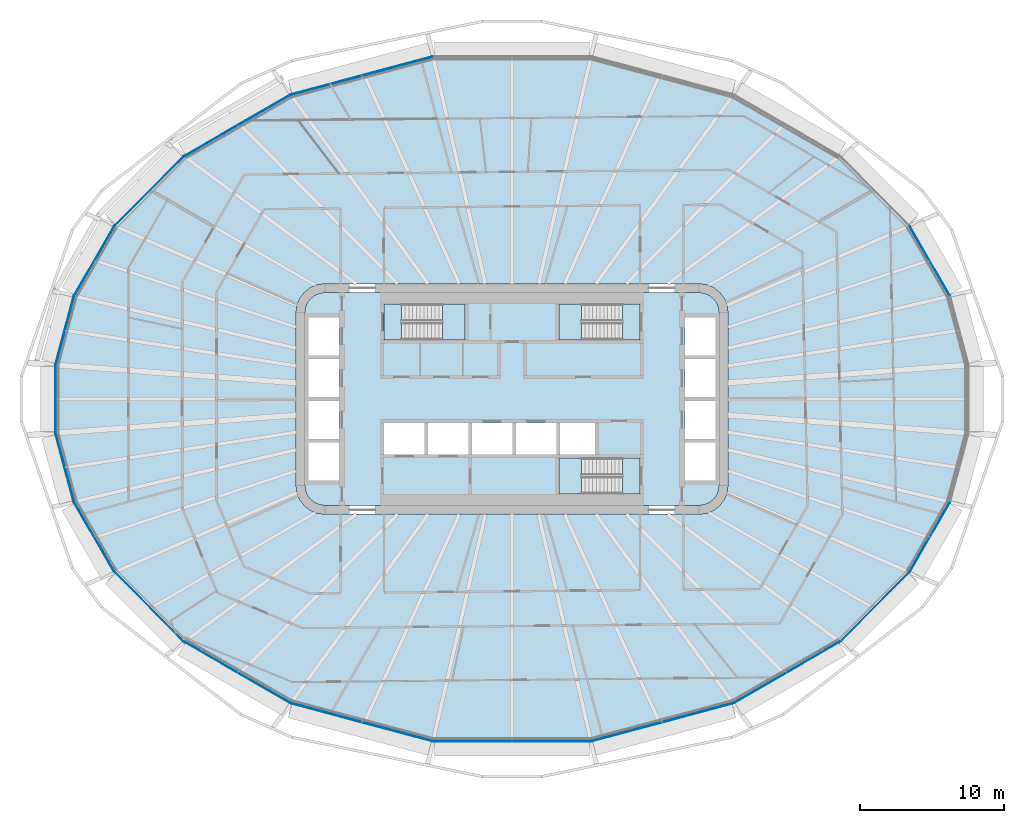
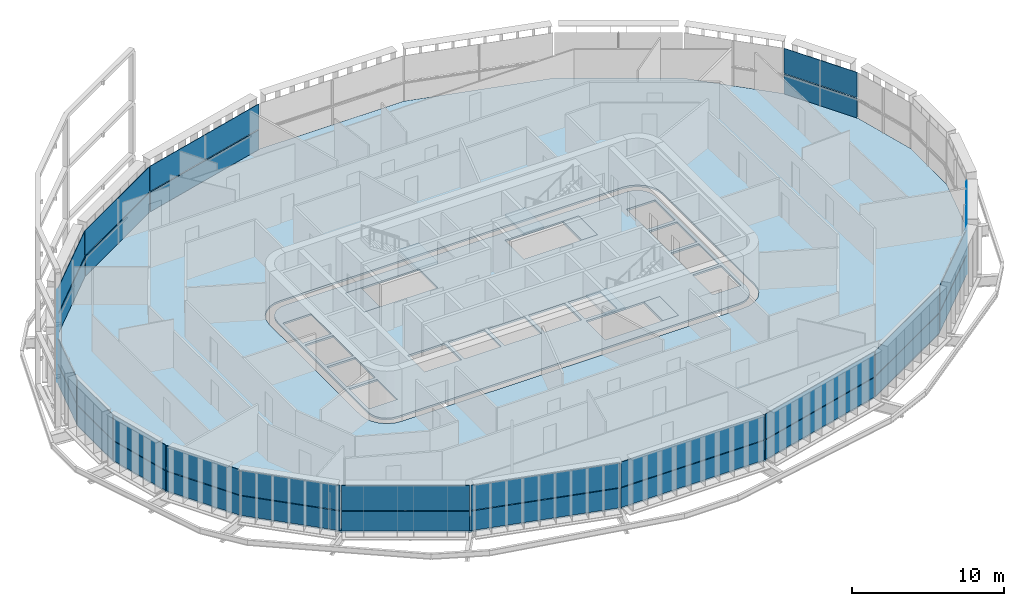
# One storey, part 13 of 26: 34 plates, 8 slabs, 20 elements without a shape of their own.
"""IFC4 building model written with IfcOpenShell, lengths in metres."""

import ifcopenshell
import ifcopenshell.guid

model = None  # the IFC model being written
_history = None  # IfcOwnerHistory: only IFC2X3 demands one
_inside = {}  # id of a spatial element -> (the spatial element, [elements in it])
_under = {}  # id of a project, library or spatial element -> (it, [spatial elements below it])
_declared = {}  # id of a project -> (the project, [libraries it declares])
_typed = {}  # id of a type object -> (the type object, [elements of that type])
_made_of = {}  # id of a material, layer set ... -> (it, [elements and type objects made of it])


def new_model(schema):
    """Start an empty IFC model of exactly this schema.

    Asked for "IFC4X3", IfcOpenShell would pick the latest addendum, in which some entities
    have other attributes; the version numbers below select the first issue.
    IFC2X3 requires an IfcOwnerHistory on every rooted entity: one is made here for all.
    """
    global model, _history
    if schema == "IFC4X3":
        model = ifcopenshell.file(schema_version=(4, 3, 0, 0))
    else:
        model = ifcopenshell.file(schema=schema)
    _inside.clear()
    _under.clear()
    _declared.clear()
    _typed.clear()
    _made_of.clear()
    _history = None
    if model.schema == "IFC2X3":
        org = make("IfcOrganization", Name="unknown")
        user = make(
            "IfcPersonAndOrganization",
            ThePerson=make("IfcPerson", FamilyName="unknown"),
            TheOrganization=org,
        )
        app = make(
            "IfcApplication",
            ApplicationDeveloper=org,
            Version="unknown",
            ApplicationFullName="unknown",
            ApplicationIdentifier="unknown",
        )
        _history = make(
            "IfcOwnerHistory",
            OwningUser=user,
            OwningApplication=app,
            ChangeAction="ADDED",
            CreationDate=0,
        )
    return model


def make(cls, **values):
    """One entity of the class cls with the attributes given. An attribute that is None is left unset."""
    return model.create_entity(
        cls, **{name: value for name, value in values.items() if value is not None}
    )


def rooted(cls, **values):
    """An entity with a GlobalId (a new one), such as an element, a storey or a relation."""
    return make(cls, GlobalId=ifcopenshell.guid.new(), OwnerHistory=_history, **values)


def si_unit(unit_type, name, prefix=None):
    """IfcSIUnit, for example si_unit("LENGTHUNIT", "METRE", prefix="MILLI")."""
    return make("IfcSIUnit", UnitType=unit_type, Prefix=prefix, Name=name)


def assignment(units):
    """IfcUnitAssignment: the units of a project."""
    return None if units is None else make("IfcUnitAssignment", Units=units)


def point(xyz):
    """IfcCartesianPoint."""
    return None if xyz is None else make("IfcCartesianPoint", Coordinates=xyz)


def direction(xyz):
    """IfcDirection."""
    return None if xyz is None else make("IfcDirection", DirectionRatios=xyz)


def frame(location, z_axis=None, x_axis=None):
    """IfcAxis2Placement3D, a coordinate frame: its origin and axes. An axis left out is left unset."""
    return make(
        "IfcAxis2Placement3D",
        Location=point(location),
        Axis=direction(z_axis),
        RefDirection=direction(x_axis),
    )


def origin():
    """The frame at (0, 0, 0) with its axes left unset."""
    return frame((0.0, 0.0, 0.0))


def place(relative_to, where):
    """IfcLocalPlacement: puts the frame where relative to a parent placement (None: the world)."""
    return make(
        "IfcLocalPlacement", PlacementRelTo=relative_to, RelativePlacement=where
    )


def context(
    kind, dimensions, precision=None, world=None, true_north=None, identifier=None
):
    """IfcGeometricRepresentationContext, for example the 3D "Model" context."""
    return make(
        "IfcGeometricRepresentationContext",
        ContextIdentifier=identifier,
        ContextType=kind,
        CoordinateSpaceDimension=dimensions,
        Precision=precision,
        WorldCoordinateSystem=world,
        TrueNorth=true_north,
    )


def subcontext(parent, identifier, kind, view, scale=None):
    """IfcGeometricRepresentationSubContext, for example "Body" below "Model"."""
    return make(
        "IfcGeometricRepresentationSubContext",
        ContextIdentifier=identifier,
        ContextType=kind,
        ParentContext=parent,
        TargetScale=scale,
        TargetView=view,
    )


def project(units=None, contexts=None):
    """IfcProject with its units and contexts."""
    return rooted(
        "IfcProject",
        Name="project",
        RepresentationContexts=contexts,
        UnitsInContext=assignment(units),
    )


def spatial(cls, under=None, at=None, **own):
    """A site, building, storey or space (cls), placed at a placement, below another one or the project."""
    s = rooted(cls, ObjectPlacement=at, **own)
    if under is not None:
        _under.setdefault(under.id(), (under, []))[1].append(s)
    return s


def polyline(points):
    """IfcPolyline through the points."""
    return make("IfcPolyline", Points=[point(p) for p in points])


def outline(outer, holes=None, kind="AREA"):
    """IfcArbitraryClosedProfileDef: a profile drawn as a closed curve; with holes, ...WithVoids."""
    if holes is None:
        return make("IfcArbitraryClosedProfileDef", ProfileType=kind, OuterCurve=outer)
    return make(
        "IfcArbitraryProfileDefWithVoids",
        ProfileType=kind,
        OuterCurve=outer,
        InnerCurves=holes,
    )


def extrude(swept, where, along, depth):
    """IfcExtrudedAreaSolid: the profile swept, set in the frame where, extruded along a direction by depth."""
    return make(
        "IfcExtrudedAreaSolid",
        SweptArea=swept,
        Position=where,
        ExtrudedDirection=direction(along),
        Depth=depth,
    )


def shape(context_of_items, identifier, shape_type, items):
    """IfcShapeRepresentation: the items that make up one representation, for example the "Body"."""
    return make(
        "IfcShapeRepresentation",
        ContextOfItems=context_of_items,
        RepresentationIdentifier=identifier,
        RepresentationType=shape_type,
        Items=items,
    )


def material(Name=None, Category=None):
    """IfcMaterial."""
    return make("IfcMaterial", Name=Name, Category=Category)


def layer(
    of_material, thickness, ventilated=None, Name=None, Category=None, Priority=None
):
    """IfcMaterialLayer: one layer of a wall or slab, of a material (None: an air gap)."""
    return make(
        "IfcMaterialLayer",
        Material=of_material,
        LayerThickness=thickness,
        IsVentilated=ventilated,
        Name=Name,
        Category=Category,
        Priority=Priority,
    )


def layer_set(layers, Name=None):
    """IfcMaterialLayerSet."""
    return make("IfcMaterialLayerSet", MaterialLayers=layers, LayerSetName=Name)


def made_of(thing, what):
    """Note that an element or type object is made of a material, layer set ...; save() writes the relation."""
    if what is not None:
        _made_of.setdefault(what.id(), (what, []))[1].append(thing)
    return thing


def type_object(cls, material=None, **own):
    """A type object (cls), such as IfcWallType, which elements share."""
    return made_of(rooted(cls, **own), material)


def element(
    cls,
    number,
    at=None,
    inside=None,
    cuts=None,
    type_object=None,
    material=None,
    context=None,
    identifier="Body",
    shape_type=None,
    held_by="IfcProductDefinitionShape",
    body=None,
    shapes=None,
    **own,
):
    """One element of the class cls, such as IfcWall. Its Tag is "e" and its number.

    at: its placement. inside: the storey or other place that contains it. cuts: it is an
    opening in that element (IfcRelVoidsElement). A single representation is given by context,
    identifier, shape_type and body (its items); several are given by shapes. held_by: the class
    of the entity that holds the representations. save() writes the other relations.
    """
    e = rooted(cls, Tag="e%d" % number, ObjectPlacement=at, **own)
    if body is not None:
        shapes = [shape(context, identifier, shape_type, body)]
    if shapes is not None:
        e.Representation = make(held_by, Representations=shapes)
    if inside is not None:
        _inside.setdefault(inside.id(), (inside, []))[1].append(e)
    if cuts is not None:
        rooted(
            "IfcRelVoidsElement", RelatingBuildingElement=cuts, RelatedOpeningElement=e
        )
    if type_object is not None:
        _typed.setdefault(type_object.id(), (type_object, []))[1].append(e)
    return made_of(e, material)


def aggregate(whole, parts):
    """IfcRelAggregates: a whole, such as a stair, and the parts it consists of."""
    return rooted("IfcRelAggregates", RelatingObject=whole, RelatedObjects=parts)


def save(model, path):
    """Write the relations noted so far, then the file.

    IfcRelAggregates (storeys below a building ...), IfcRelContainedInSpatialStructure (elements
    in a storey), IfcRelDefinesByType, IfcRelAssociatesMaterial and IfcRelDeclares: one each for
    every whole, place, type object, material and project.
    """
    for whole, parts in _under.values():
        aggregate(whole, parts)
    for where, things in _inside.values():
        rooted(
            "IfcRelContainedInSpatialStructure",
            RelatedElements=things,
            RelatingStructure=where,
        )
    for kind, things in _typed.values():
        rooted("IfcRelDefinesByType", RelatedObjects=things, RelatingType=kind)
    for what, things in _made_of.values():
        rooted("IfcRelAssociatesMaterial", RelatedObjects=things, RelatingMaterial=what)
    for by, libraries in _declared.values():
        rooted("IfcRelDeclares", RelatingContext=by, RelatedDefinitions=libraries)
    model.write(path)


model = new_model("IFC4")

# Units and contexts
model_context = context("Model", 3, precision=1e-05, world=origin(), true_north=direction((0.0, 1.0)))
body_context = subcontext(model_context, "Body", "Model", "MODEL_VIEW")
ifc_project = project(units=[si_unit("LENGTHUNIT", "METRE"), si_unit("AREAUNIT", "SQUARE_METRE"), si_unit("VOLUMEUNIT", "CUBIC_METRE"), si_unit("PLANEANGLEUNIT", "RADIAN"), si_unit("MASSUNIT", "GRAM", prefix="KILO")], contexts=[model_context])

# Site, building, storey
site_placement = place(None, origin())
site = spatial("IfcSite", under=ifc_project, at=site_placement, CompositionType="ELEMENT")
building_placement = place(site_placement, origin())
building = spatial("IfcBuilding", under=site, at=building_placement, Name="Sahrelin Media Tower", CompositionType="ELEMENT")
storey_placement = place(building_placement, frame((0.0, 0.0, 84.0)))
storey = spatial("IfcBuildingStorey", under=building, at=storey_placement, Name="L15", CompositionType="ELEMENT", Elevation=84.0)

# Slabs
ifc_material_1 = material(Name="Concrete C40/50", Category="concrete")
ifc_layer_1 = layer(ifc_material_1, 0.14990234375)
ifc_layer_set_1 = layer_set([ifc_layer_1], Name="Composite floor slab 150")
slab_type_1 = type_object("IfcSlabType", Name="Composite floor slab 150", PredefinedType="FLOOR", material=ifc_layer_set_1)
placement_1 = place(storey_placement, frame((0.0, 0.0, -0.14990234375)))
element("IfcSlab", 1, at=placement_1, inside=storey, type_object=slab_type_1, Name="Floor slab L15", PredefinedType="FLOOR", context=body_context, shape_type="SweptSolid", body=[
    extrude(outline(polyline([(31.69140625, -2.364013671875), (31.69140625, 2.364013671875), (30.411376953125, 7.140869140625), (27.596923828125, 12.015625), (22.759033203125, 16.853515625), (15.37060546875, 21.119140625), (5.491455078125, 23.766357421875), (-5.491455078125, 23.766357421875), (-15.37060546875, 21.119140625), (-22.759033203125, 16.853515625), (-27.596923828125, 12.015625), (-30.411376953125, 7.140869140625), (-31.69140625, 2.364013671875), (-31.69140625, -2.364013671875), (-30.411376953125, -7.140869140625), (-27.596923828125, -12.015625), (-22.759033203125, -16.853515625), (-15.37060546875, -21.119140625), (-5.491455078125, -23.766357421875), (5.491455078125, -23.766357421875), (15.37060546875, -21.119140625), (22.759033203125, -16.853515625), (27.596923828125, -12.015625), (30.411376953125, -7.140869140625), (31.69140625, -2.364013671875)]), holes=[polyline([(14.931884765625, 6.517578125), (15.0, 6.0), (15.0, -6.0), (14.931884765625, -6.517578125), (14.732177734375, -7.0), (14.414306640625, -7.414306640625), (14.0, -7.732177734375), (13.517578125, -7.931884765625), (13.0, -8.0), (-13.0, -8.0), (-13.517578125, -7.931884765625), (-14.0, -7.732177734375), (-14.414306640625, -7.414306640625), (-14.732177734375, -7.0), (-14.931884765625, -6.517578125), (-15.0, -6.0), (-15.0, 6.0), (-14.931884765625, 6.517578125), (-14.732177734375, 7.0), (-14.414306640625, 7.414306640625), (-14.0, 7.732177734375), (-13.517578125, 7.931884765625), (-13.0, 8.0), (13.0, 8.0), (13.517578125, 7.931884765625), (14.0, 7.732177734375), (14.414306640625, 7.414306640625), (14.732177734375, 7.0), (14.931884765625, 6.517578125)])]), origin(), (0.0, 0.0, 1.0), 0.14990234375),
])
ifc_layer_2 = layer(ifc_material_1, 0.14990234375)
ifc_layer_set_2 = layer_set([ifc_layer_2], Name="Core floor slab 150")
slab_type_2 = type_object("IfcSlabType", Name="Core floor slab 150", PredefinedType="FLOOR", material=ifc_layer_set_2)
element("IfcSlab", 2, at=placement_1, inside=storey, type_object=slab_type_2, Name="Core floor", PredefinedType="FLOOR", context=body_context, shape_type="SweptSolid", body=[
    extrude(outline(polyline([(-14.347412109375, 6.361083984375), (-14.39990234375, 5.960693359375), (-14.39990234375, -5.960693359375), (-14.347412109375, -6.361083984375), (-14.2080078125, -6.697509765625), (-13.986328125, -6.986328125), (-13.697509765625, -7.2080078125), (-13.361083984375, -7.347412109375), (-12.960693359375, -7.39990234375), (12.960693359375, -7.39990234375), (13.361083984375, -7.347412109375), (13.697509765625, -7.2080078125), (13.986328125, -6.986328125), (14.2080078125, -6.697509765625), (14.347412109375, -6.361083984375), (14.39990234375, -5.960693359375), (14.39990234375, 5.960693359375), (14.347412109375, 6.361083984375), (14.2080078125, 6.697509765625), (13.986328125, 6.986328125), (13.697509765625, 7.2080078125), (13.361083984375, 7.347412109375), (12.960693359375, 7.39990234375), (-12.960693359375, 7.39990234375), (-13.361083984375, 7.347412109375), (-13.697509765625, 7.2080078125), (-13.986328125, 6.986328125), (-14.2080078125, 6.697509765625), (-14.347412109375, 6.361083984375)]), holes=[polyline([(-12.0, 3.02490234375), (-12.0, 5.675048828125), (-14.14990234375, 5.675048828125), (-14.14990234375, 3.02490234375), (-12.0, 3.02490234375)]), polyline([(-14.14990234375, 0.125), (-12.0, 0.125), (-12.0, 2.77490234375), (-14.14990234375, 2.77490234375), (-14.14990234375, 0.125)]), polyline([(-14.14990234375, -0.125), (-14.14990234375, -2.77490234375), (-12.0, -2.77490234375), (-12.0, -0.125), (-14.14990234375, -0.125)]), polyline([(-12.0, -3.02490234375), (-14.14990234375, -3.02490234375), (-14.14990234375, -5.675048828125), (-12.0, -5.675048828125), (-12.0, -3.02490234375)]), polyline([(14.14990234375, 3.02490234375), (14.14990234375, 5.675048828125), (12.0, 5.675048828125), (12.0, 3.02490234375), (14.14990234375, 3.02490234375)]), polyline([(12.0, 0.125), (14.14990234375, 0.125), (14.14990234375, 2.77490234375), (12.0, 2.77490234375), (12.0, 0.125)]), polyline([(12.0, -0.125), (12.0, -2.77490234375), (14.14990234375, -2.77490234375), (14.14990234375, -0.125), (12.0, -0.125)]), polyline([(14.14990234375, -3.02490234375), (12.0, -3.02490234375), (12.0, -5.675048828125), (14.14990234375, -5.675048828125), (14.14990234375, -3.02490234375)]), polyline([(-6.074951171875, -3.85009765625), (-6.074951171875, -1.64990234375), (-8.875, -1.64990234375), (-8.875, -3.85009765625), (-6.074951171875, -3.85009765625)]), polyline([(-5.824951171875, -3.85009765625), (-3.02490234375, -3.85009765625), (-3.02490234375, -1.64990234375), (-5.824951171875, -1.64990234375), (-5.824951171875, -3.85009765625)]), polyline([(-2.77490234375, -1.64990234375), (-2.77490234375, -3.85009765625), (0.02490234375, -3.85009765625), (0.02490234375, -1.64990234375), (-2.77490234375, -1.64990234375)]), polyline([(3.074951171875, -1.64990234375), (0.27490234375, -1.64990234375), (0.27490234375, -3.85009765625), (3.074951171875, -3.85009765625), (3.074951171875, -1.64990234375)]), polyline([(5.77490234375, -3.85009765625), (5.77490234375, -1.64990234375), (3.324951171875, -1.64990234375), (3.324951171875, -3.85009765625), (5.77490234375, -3.85009765625)]), polyline([(-8.875, 6.60009765625), (-8.875, 4.10009765625), (-3.27490234375, 4.10009765625), (-3.27490234375, 6.60009765625), (-8.875, 6.60009765625)]), polyline([(3.27490234375, 4.10009765625), (8.875, 4.10009765625), (8.875, 6.60009765625), (3.27490234375, 6.60009765625), (3.27490234375, 4.10009765625)]), polyline([(3.27490234375, -4.10009765625), (3.27490234375, -6.60009765625), (8.875, -6.60009765625), (8.875, -4.10009765625), (3.27490234375, -4.10009765625)])]), origin(), (0.0, 0.0, 1.0), 0.14990234375),
])

# Curtain wall, plate
ifc_material_2 = material(Name="Champagne anodised aluminium 6063-T6", Category="aluminium")
ifc_layer_3 = layer(ifc_material_2, 0.14990234375)
ifc_layer_set_3 = layer_set([ifc_layer_3], Name="Tower ribbon curtain wall")
curtain_wall_type = type_object("IfcCurtainWallType", Name="Tower ribbon curtain wall", PredefinedType="NOTDEFINED", material=ifc_layer_set_3)
curtain_wall_1_placement = place(storey_placement, frame((29.021484375, 9.58837890625, 0.0), z_axis=(0.0, 0.0, 1.0), x_axis=(1.0, 0.0, 0.0)))
curtain_wall_1 = element("IfcCurtainWall", 3, at=curtain_wall_1_placement, inside=storey, type_object=curtain_wall_type, Name="L15:CW:L15-02", PredefinedType="NOTDEFINED")
ifc_material_3 = material(Name="Clear low-iron glazing", Category="glass")
ifc_layer_4 = layer(ifc_material_3, 0.0400390625)
ifc_layer_set_4 = layer_set([ifc_layer_4], Name="Glazing panel 40 mm CW1")
plate_type_1 = type_object("IfcPlateType", Name="Glazing panel 40 mm CW1", PredefinedType="CURTAIN_PANEL", material=ifc_layer_set_4)
plate_1_placement = place(storey_placement, frame((30.42236328125, 7.201904296875, 1.6298828125), z_axis=(0.866024699562, 0.500001219746, 0.0), x_axis=(-0.500001219746, 0.866024699562, 0.0)))
plate_1 = element("IfcPlate", 4, at=plate_1_placement, type_object=plate_type_1, Name="L15:CWP2:L15-02", PredefinedType="CURTAIN_PANEL", context=body_context, shape_type="SweptSolid", body=[
    extrude(outline(polyline([(0.0, 0.0), (5.5341796875, 0.0), (5.5341796875, 2.018798828125), (0.0, 2.018798828125), (0.0, 0.0)])), origin(), (0.0, 0.0, -1.0), 0.0400390625),
])

curtain_wall_2_placement = place(storey_placement, frame((-10.436279296875, 22.4619140625, 0.0), z_axis=(0.0, 0.0, 1.0), x_axis=(1.0, 0.0, 0.0)))
curtain_wall_2 = element("IfcCurtainWall", 5, at=curtain_wall_2_placement, inside=storey, type_object=curtain_wall_type, Name="L15:CW:L15-07", PredefinedType="NOTDEFINED")
plate_2_placement = place(storey_placement, frame((-5.547607421875, 23.792724609375, 1.6298828125), z_axis=(-0.258817176465, 0.965926326987, 0.0), x_axis=(-0.965926326987, -0.258817176465, 0.0)))
plate_2 = element("IfcPlate", 6, at=plate_2_placement, type_object=plate_type_1, Name="L15:CWP2:L15-07", PredefinedType="CURTAIN_PANEL", context=body_context, shape_type="SweptSolid", body=[
    extrude(outline(polyline([(0.0, 0.0), (10.1328125, 0.0), (10.1328125, 2.018798828125), (0.0, 2.018798828125), (0.0, 0.0)])), origin(), (0.0, 0.0, -1.0), 0.0400390625),
])

curtain_wall_3_placement = place(storey_placement, frame((-19.074951171875, 19.003662109375, 0.0), z_axis=(0.0, 0.0, 1.0), x_axis=(1.0, 0.0, 0.0)))
curtain_wall_3 = element("IfcCurtainWall", 7, at=curtain_wall_3_placement, inside=storey, type_object=curtain_wall_type, Name="L15:CW:L15-08", PredefinedType="NOTDEFINED")
plate_3_placement = place(storey_placement, frame((-15.431640625, 21.130126953125, 1.6298828125), z_axis=(-0.500013857328, 0.866017403105, 0.0), x_axis=(-0.866017403105, -0.500013857328, 0.0)))
plate_3 = element("IfcPlate", 8, at=plate_3_placement, type_object=plate_type_1, Name="L15:CWP2:L15-08", PredefinedType="CURTAIN_PANEL", context=body_context, shape_type="SweptSolid", body=[
    extrude(outline(polyline([(0.0, 0.0), (8.436767578125, 0.0), (8.436767578125, 2.018798828125), (0.0, 2.018798828125), (0.0, 0.0)])), origin(), (0.0, 0.0, -1.0), 0.0400390625),
])

curtain_wall_4_placement = place(storey_placement, frame((-25.192138671875, 14.44873046875, 0.0), z_axis=(0.0, 0.0, 1.0), x_axis=(1.0, 0.0, 0.0)))
curtain_wall_4 = element("IfcCurtainWall", 9, at=curtain_wall_4_placement, inside=storey, type_object=curtain_wall_type, Name="L15:CW:L15-09", PredefinedType="NOTDEFINED")
plate_4_placement = place(storey_placement, frame((-22.82080078125, 16.84814453125, 1.6298828125), z_axis=(-0.707088688516, 0.707124873394, 0.0), x_axis=(-0.707124873394, -0.707088688516, 0.0)))
plate_4 = element("IfcPlate", 10, at=plate_4_placement, type_object=plate_type_1, Name="L15:CWP2:L15-09", PredefinedType="CURTAIN_PANEL", context=body_context, shape_type="SweptSolid", body=[
    extrude(outline(polyline([(0.0, 0.0), (6.7470703125, 0.0), (6.7470703125, 2.018798828125), (0.0, 2.018798828125), (0.0, 0.0)])), origin(), (0.0, 0.0, -1.0), 0.0400390625),
])

curtain_wall_5_placement = place(storey_placement, frame((-29.021484375, 9.58837890625, 0.0), z_axis=(0.0, 0.0, 1.0), x_axis=(1.0, 0.0, 0.0)))
curtain_wall_5 = element("IfcCurtainWall", 11, at=curtain_wall_5_placement, inside=storey, type_object=curtain_wall_type, Name="L15:CW:L15-10", PredefinedType="NOTDEFINED")
plate_5_placement = place(storey_placement, frame((-27.6552734375, 11.99462890625, 1.6298828125), z_axis=(-0.866024699562, 0.500001219746, 0.0), x_axis=(-0.500001219746, -0.866024699562, 0.0)))
plate_5 = element("IfcPlate", 12, at=plate_5_placement, type_object=plate_type_1, Name="L15:CWP2:L15-10", PredefinedType="CURTAIN_PANEL", context=body_context, shape_type="SweptSolid", body=[
    extrude(outline(polyline([(0.0, 0.0), (5.5341796875, 0.0), (5.5341796875, 2.018798828125), (0.0, 2.018798828125), (0.0, 0.0)])), origin(), (0.0, 0.0, -1.0), 0.0400390625),
])

curtain_wall_6_placement = place(storey_placement, frame((-31.07080078125, 4.757568359375, 0.0), z_axis=(0.0, 0.0, 1.0), x_axis=(1.0, 0.0, 0.0)))
curtain_wall_6 = element("IfcCurtainWall", 13, at=curtain_wall_6_placement, inside=storey, type_object=curtain_wall_type, Name="L15:CW:L15-11", PredefinedType="NOTDEFINED")
plate_6_placement = place(storey_placement, frame((-30.46240234375, 7.10546875, 1.6298828125), z_axis=(-0.965928505831, 0.258809044708, 0.0), x_axis=(-0.258809044708, -0.965928505831, 0.0)))
plate_6 = element("IfcPlate", 14, at=plate_6_placement, type_object=plate_type_1, Name="L15:CWP2:L15-11", PredefinedType="CURTAIN_PANEL", context=body_context, shape_type="SweptSolid", body=[
    extrude(outline(polyline([(0.0, 0.0), (4.8505859375, 0.0), (4.8505859375, 2.018798828125), (0.0, 2.018798828125), (0.0, 0.0)])), origin(), (0.0, 0.0, -1.0), 0.0400390625),
])

curtain_wall_7_placement = place(storey_placement, frame((-31.711181640625, 0.0, 0.0), z_axis=(0.0, 0.0, 1.0), x_axis=(1.0, 0.0, 0.0)))
curtain_wall_7 = element("IfcCurtainWall", 15, at=curtain_wall_7_placement, inside=storey, type_object=curtain_wall_type, Name="L15:CW:L15-12", PredefinedType="NOTDEFINED")
plate_7_placement = place(storey_placement, frame((-31.731201171875, 2.316650390625, 1.6298828125), z_axis=(-1.0, 0.0, 0.0), x_axis=(0.0, -1.0, 0.0)))
plate_7 = element("IfcPlate", 16, at=plate_7_placement, type_object=plate_type_1, Name="L15:CWP2:L15-12", PredefinedType="CURTAIN_PANEL", context=body_context, shape_type="SweptSolid", body=[
    extrude(outline(polyline([(0.0, 0.0), (4.63330078125, 0.0), (4.63330078125, 2.018798828125), (0.0, 2.018798828125), (0.0, 0.0)])), origin(), (0.0, 0.0, -1.0), 0.0400390625),
])

curtain_wall_8_placement = place(storey_placement, frame((-31.07080078125, -4.757568359375, 0.0), z_axis=(0.0, 0.0, 1.0), x_axis=(1.0, 0.0, 0.0)))
curtain_wall_8 = element("IfcCurtainWall", 17, at=curtain_wall_8_placement, inside=storey, type_object=curtain_wall_type, Name="L15:CW:L15-13", PredefinedType="NOTDEFINED")
plate_8_placement = place(storey_placement, frame((-31.7177734375, -2.420166015625, 1.6298828125), z_axis=(-0.965928505831, -0.258809044708, 0.0), x_axis=(0.258809044708, -0.965928505831, 0.0)))
plate_8 = element("IfcPlate", 18, at=plate_8_placement, type_object=plate_type_1, Name="L15:CWP2:L15-13", PredefinedType="CURTAIN_PANEL", context=body_context, shape_type="SweptSolid", body=[
    extrude(outline(polyline([(0.0, 0.0), (4.8505859375, 0.0), (4.8505859375, 2.018798828125), (0.0, 2.018798828125), (0.0, 0.0)])), origin(), (0.0, 0.0, -1.0), 0.0400390625),
])

curtain_wall_9_placement = place(storey_placement, frame((-29.021484375, -9.58837890625, 0.0), z_axis=(0.0, 0.0, 1.0), x_axis=(1.0, 0.0, 0.0)))
curtain_wall_9 = element("IfcCurtainWall", 19, at=curtain_wall_9_placement, inside=storey, type_object=curtain_wall_type, Name="L15:CW:L15-14", PredefinedType="NOTDEFINED")
plate_9_placement = place(storey_placement, frame((-30.42236328125, -7.201904296875, 1.6298828125), z_axis=(-0.866024699562, -0.500001219746, 0.0), x_axis=(0.500001219746, -0.866024699562, 0.0)))
plate_9 = element("IfcPlate", 20, at=plate_9_placement, type_object=plate_type_1, Name="L15:CWP2:L15-14", PredefinedType="CURTAIN_PANEL", context=body_context, shape_type="SweptSolid", body=[
    extrude(outline(polyline([(0.0, 0.0), (5.5341796875, 0.0), (5.5341796875, 2.018798828125), (0.0, 2.018798828125), (0.0, 0.0)])), origin(), (0.0, 0.0, -1.0), 0.0400390625),
])

curtain_wall_10_placement = place(storey_placement, frame((-25.192138671875, -14.448486328125, 0.0), z_axis=(0.0, 0.0, 1.0), x_axis=(1.0, 0.0, 0.0)))
curtain_wall_10 = element("IfcCurtainWall", 21, at=curtain_wall_10_placement, inside=storey, type_object=curtain_wall_type, Name="L15:CW:L15-15", PredefinedType="NOTDEFINED")
plate_10_placement = place(storey_placement, frame((-27.591796875, -12.077392578125, 1.6298828125), z_axis=(-0.707088688516, -0.707124873394, 0.0), x_axis=(0.707124873394, -0.707088688516, 0.0)))
plate_10 = element("IfcPlate", 22, at=plate_10_placement, type_object=plate_type_1, Name="L15:CWP2:L15-15", PredefinedType="CURTAIN_PANEL", context=body_context, shape_type="SweptSolid", body=[
    extrude(outline(polyline([(0.0, 0.0), (6.7470703125, 0.0), (6.7470703125, 2.018798828125), (0.0, 2.018798828125), (0.0, 0.0)])), origin(), (0.0, 0.0, -1.0), 0.0400390625),
])

curtain_wall_11_placement = place(storey_placement, frame((-19.074951171875, -19.003662109375, 0.0), z_axis=(0.0, 0.0, 1.0), x_axis=(1.0, 0.0, 0.0)))
curtain_wall_11 = element("IfcCurtainWall", 23, at=curtain_wall_11_placement, inside=storey, type_object=curtain_wall_type, Name="L15:CW:L15-16", PredefinedType="NOTDEFINED")
plate_11_placement = place(storey_placement, frame((-22.738037109375, -16.91162109375, 1.6298828125), z_axis=(-0.500013857328, -0.866017403105, 0.0), x_axis=(0.866017403105, -0.500013857328, 0.0)))
plate_11 = element("IfcPlate", 24, at=plate_11_placement, type_object=plate_type_1, Name="L15:CWP2:L15-16", PredefinedType="CURTAIN_PANEL", context=body_context, shape_type="SweptSolid", body=[
    extrude(outline(polyline([(0.0, 0.0), (8.436767578125, 0.0), (8.436767578125, 2.018798828125), (0.0, 2.018798828125), (0.0, 0.0)])), origin(), (0.0, 0.0, -1.0), 0.0400390625),
])

curtain_wall_12_placement = place(storey_placement, frame((-10.436279296875, -22.462158203125, 0.0), z_axis=(0.0, 0.0, 1.0), x_axis=(1.0, 0.0, 0.0)))
curtain_wall_12 = element("IfcCurtainWall", 25, at=curtain_wall_12_placement, inside=storey, type_object=curtain_wall_type, Name="L15:CW:L15-17", PredefinedType="NOTDEFINED")
plate_12_placement = place(storey_placement, frame((-15.335205078125, -21.170166015625, 1.6298828125), z_axis=(-0.258817176465, -0.965926326987, 0.0), x_axis=(0.965926326987, -0.258817176465, 0.0)))
plate_12 = element("IfcPlate", 26, at=plate_12_placement, type_object=plate_type_1, Name="L15:CWP2:L15-17", PredefinedType="CURTAIN_PANEL", context=body_context, shape_type="SweptSolid", body=[
    extrude(outline(polyline([(0.0, 0.0), (10.1328125, 0.0), (10.1328125, 2.018798828125), (0.0, 2.018798828125), (0.0, 0.0)])), origin(), (0.0, 0.0, -1.0), 0.0400390625),
])

curtain_wall_13_placement = place(storey_placement, frame((0.0, -23.786376953125, 0.0), z_axis=(0.0, 0.0, 1.0), x_axis=(1.0, 0.0, 0.0)))
curtain_wall_13 = element("IfcCurtainWall", 27, at=curtain_wall_13_placement, inside=storey, type_object=curtain_wall_type, Name="L15:CW:L15-18", PredefinedType="NOTDEFINED")
plate_13_placement = place(storey_placement, frame((-5.444091796875, -23.806396484375, 1.6298828125), z_axis=(0.0, -1.0, 0.0), x_axis=(1.0, 0.0, 0.0)))
plate_13 = element("IfcPlate", 28, at=plate_13_placement, type_object=plate_type_1, Name="L15:CWP2:L15-18", PredefinedType="CURTAIN_PANEL", context=body_context, shape_type="SweptSolid", body=[
    extrude(outline(polyline([(0.0, 0.0), (10.88818359375, 0.0), (10.88818359375, 2.018798828125), (0.0, 2.018798828125), (0.0, 0.0)])), origin(), (0.0, 0.0, -1.0), 0.0400390625),
])

curtain_wall_14_placement = place(storey_placement, frame((10.436279296875, -22.4619140625, 0.0), z_axis=(0.0, 0.0, 1.0), x_axis=(1.0, 0.0, 0.0)))
curtain_wall_14 = element("IfcCurtainWall", 29, at=curtain_wall_14_placement, inside=storey, type_object=curtain_wall_type, Name="L15:CW:L15-19", PredefinedType="NOTDEFINED")
plate_14_placement = place(storey_placement, frame((5.547607421875, -23.792724609375, 1.6298828125), z_axis=(0.258817176465, -0.965926326987, 0.0), x_axis=(0.965926326987, 0.258817176465, 0.0)))
plate_14 = element("IfcPlate", 30, at=plate_14_placement, type_object=plate_type_1, Name="L15:CWP2:L15-19", PredefinedType="CURTAIN_PANEL", context=body_context, shape_type="SweptSolid", body=[
    extrude(outline(polyline([(0.0, 0.0), (10.1328125, 0.0), (10.1328125, 2.018798828125), (0.0, 2.018798828125), (0.0, 0.0)])), origin(), (0.0, 0.0, -1.0), 0.0400390625),
])

curtain_wall_15_placement = place(storey_placement, frame((19.074951171875, -19.003662109375, 0.0), z_axis=(0.0, 0.0, 1.0), x_axis=(1.0, 0.0, 0.0)))
curtain_wall_15 = element("IfcCurtainWall", 31, at=curtain_wall_15_placement, inside=storey, type_object=curtain_wall_type, Name="L15:CW:L15-20", PredefinedType="NOTDEFINED")
plate_15_placement = place(storey_placement, frame((15.431640625, -21.130126953125, 1.6298828125), z_axis=(0.500013857328, -0.866017403105, 0.0), x_axis=(0.866017403105, 0.500013857328, 0.0)))
plate_15 = element("IfcPlate", 32, at=plate_15_placement, type_object=plate_type_1, Name="L15:CWP2:L15-20", PredefinedType="CURTAIN_PANEL", context=body_context, shape_type="SweptSolid", body=[
    extrude(outline(polyline([(0.0, 0.0), (8.436767578125, 0.0), (8.436767578125, 2.018798828125), (0.0, 2.018798828125), (0.0, 0.0)])), origin(), (0.0, 0.0, -1.0), 0.0400390625),
])

curtain_wall_16_placement = place(storey_placement, frame((25.192138671875, -14.44873046875, 0.0), z_axis=(0.0, 0.0, 1.0), x_axis=(1.0, 0.0, 0.0)))
curtain_wall_16 = element("IfcCurtainWall", 33, at=curtain_wall_16_placement, inside=storey, type_object=curtain_wall_type, Name="L15:CW:L15-21", PredefinedType="NOTDEFINED")
plate_16_placement = place(storey_placement, frame((22.82080078125, -16.84814453125, 1.6298828125), z_axis=(0.707088688516, -0.707124873394, 0.0), x_axis=(0.707124873394, 0.707088688516, 0.0)))
plate_16 = element("IfcPlate", 34, at=plate_16_placement, type_object=plate_type_1, Name="L15:CWP2:L15-21", PredefinedType="CURTAIN_PANEL", context=body_context, shape_type="SweptSolid", body=[
    extrude(outline(polyline([(0.0, 0.0), (6.7470703125, 0.0), (6.7470703125, 2.018798828125), (0.0, 2.018798828125), (0.0, 0.0)])), origin(), (0.0, 0.0, -1.0), 0.0400390625),
])

curtain_wall_17_placement = place(storey_placement, frame((29.021484375, -9.58837890625, 0.0), z_axis=(0.0, 0.0, 1.0), x_axis=(1.0, 0.0, 0.0)))
curtain_wall_17 = element("IfcCurtainWall", 35, at=curtain_wall_17_placement, inside=storey, type_object=curtain_wall_type, Name="L15:CW:L15-22", PredefinedType="NOTDEFINED")
plate_17_placement = place(storey_placement, frame((27.6552734375, -11.99462890625, 1.6298828125), z_axis=(0.866024699562, -0.500001219746, 0.0), x_axis=(0.500001219746, 0.866024699562, 0.0)))
plate_17 = element("IfcPlate", 36, at=plate_17_placement, type_object=plate_type_1, Name="L15:CWP2:L15-22", PredefinedType="CURTAIN_PANEL", context=body_context, shape_type="SweptSolid", body=[
    extrude(outline(polyline([(0.0, 0.0), (5.5341796875, 0.0), (5.5341796875, 2.018798828125), (0.0, 2.018798828125), (0.0, 0.0)])), origin(), (0.0, 0.0, -1.0), 0.0400390625),
])

# Plate
ifc_material_4 = material(Name="Insulated spandrel panel")
ifc_layer_5 = layer(ifc_material_4, 0.06005859375)
ifc_layer_set_5 = layer_set([ifc_layer_5], Name="Spandrel panel 60 mm CW1")
plate_type_2 = type_object("IfcPlateType", Name="Spandrel panel 60 mm CW1", PredefinedType="SHEET", material=ifc_layer_set_5)
plate_18_placement = place(storey_placement, frame((30.42236328125, 7.201904296875, 0.0), z_axis=(0.866024699562, 0.500001219746, 0.0), x_axis=(-0.500001219746, 0.866024699562, 0.0)))
plate_18 = element("IfcPlate", 37, at=plate_18_placement, type_object=plate_type_2, Name="L15:CWP1:L15-02", PredefinedType="SHEET", context=body_context, shape_type="SweptSolid", body=[
    extrude(outline(polyline([(0.0, 0.0), (5.5341796875, 0.0), (5.5341796875, 1.570068359375), (0.0, 1.570068359375), (0.0, 0.0)])), origin(), (0.0, 0.0, -1.0), 0.06005859375),
])

aggregate(curtain_wall_1, [plate_18, plate_1])

plate_19_placement = place(storey_placement, frame((-5.547607421875, 23.792724609375, 0.0), z_axis=(-0.258817176465, 0.965926326987, 0.0), x_axis=(-0.965926326987, -0.258817176465, 0.0)))
plate_19 = element("IfcPlate", 38, at=plate_19_placement, type_object=plate_type_2, Name="L15:CWP1:L15-07", PredefinedType="SHEET", context=body_context, shape_type="SweptSolid", body=[
    extrude(outline(polyline([(0.0, 0.0), (10.1328125, 0.0), (10.1328125, 1.570068359375), (0.0, 1.570068359375), (0.0, 0.0)])), origin(), (0.0, 0.0, -1.0), 0.06005859375),
])

aggregate(curtain_wall_2, [plate_19, plate_2])

plate_20_placement = place(storey_placement, frame((-15.431640625, 21.130126953125, 0.0), z_axis=(-0.500013857328, 0.866017403105, 0.0), x_axis=(-0.866017403105, -0.500013857328, 0.0)))
plate_20 = element("IfcPlate", 39, at=plate_20_placement, type_object=plate_type_2, Name="L15:CWP1:L15-08", PredefinedType="SHEET", context=body_context, shape_type="SweptSolid", body=[
    extrude(outline(polyline([(0.0, 0.0), (8.436767578125, 0.0), (8.436767578125, 1.570068359375), (0.0, 1.570068359375), (0.0, 0.0)])), origin(), (0.0, 0.0, -1.0), 0.06005859375),
])

aggregate(curtain_wall_3, [plate_20, plate_3])

plate_21_placement = place(storey_placement, frame((-22.82080078125, 16.84814453125, 0.0), z_axis=(-0.707088688516, 0.707124873394, 0.0), x_axis=(-0.707124873394, -0.707088688516, 0.0)))
plate_21 = element("IfcPlate", 40, at=plate_21_placement, type_object=plate_type_2, Name="L15:CWP1:L15-09", PredefinedType="SHEET", context=body_context, shape_type="SweptSolid", body=[
    extrude(outline(polyline([(0.0, 0.0), (6.7470703125, 0.0), (6.7470703125, 1.570068359375), (0.0, 1.570068359375), (0.0, 0.0)])), origin(), (0.0, 0.0, -1.0), 0.06005859375),
])

aggregate(curtain_wall_4, [plate_21, plate_4])

plate_22_placement = place(storey_placement, frame((-27.6552734375, 11.99462890625, 0.0), z_axis=(-0.866024699562, 0.500001219746, 0.0), x_axis=(-0.500001219746, -0.866024699562, 0.0)))
plate_22 = element("IfcPlate", 41, at=plate_22_placement, type_object=plate_type_2, Name="L15:CWP1:L15-10", PredefinedType="SHEET", context=body_context, shape_type="SweptSolid", body=[
    extrude(outline(polyline([(0.0, 0.0), (5.5341796875, 0.0), (5.5341796875, 1.570068359375), (0.0, 1.570068359375), (0.0, 0.0)])), origin(), (0.0, 0.0, -1.0), 0.06005859375),
])

aggregate(curtain_wall_5, [plate_22, plate_5])

plate_23_placement = place(storey_placement, frame((-30.46240234375, 7.10546875, 0.0), z_axis=(-0.965928505831, 0.258809044708, 0.0), x_axis=(-0.258809044708, -0.965928505831, 0.0)))
plate_23 = element("IfcPlate", 42, at=plate_23_placement, type_object=plate_type_2, Name="L15:CWP1:L15-11", PredefinedType="SHEET", context=body_context, shape_type="SweptSolid", body=[
    extrude(outline(polyline([(0.0, 0.0), (4.8505859375, 0.0), (4.8505859375, 1.570068359375), (0.0, 1.570068359375), (0.0, 0.0)])), origin(), (0.0, 0.0, -1.0), 0.06005859375),
])

aggregate(curtain_wall_6, [plate_23, plate_6])

plate_24_placement = place(storey_placement, frame((-31.731201171875, 2.316650390625, 0.0), z_axis=(-1.0, 0.0, 0.0), x_axis=(0.0, -1.0, 0.0)))
plate_24 = element("IfcPlate", 43, at=plate_24_placement, type_object=plate_type_2, Name="L15:CWP1:L15-12", PredefinedType="SHEET", context=body_context, shape_type="SweptSolid", body=[
    extrude(outline(polyline([(0.0, 0.0), (4.63330078125, 0.0), (4.63330078125, 1.570068359375), (0.0, 1.570068359375), (0.0, 0.0)])), origin(), (0.0, 0.0, -1.0), 0.06005859375),
])

aggregate(curtain_wall_7, [plate_24, plate_7])

plate_25_placement = place(storey_placement, frame((-31.7177734375, -2.420166015625, 0.0), z_axis=(-0.965928505831, -0.258809044708, 0.0), x_axis=(0.258809044708, -0.965928505831, 0.0)))
plate_25 = element("IfcPlate", 44, at=plate_25_placement, type_object=plate_type_2, Name="L15:CWP1:L15-13", PredefinedType="SHEET", context=body_context, shape_type="SweptSolid", body=[
    extrude(outline(polyline([(0.0, 0.0), (4.8505859375, 0.0), (4.8505859375, 1.570068359375), (0.0, 1.570068359375), (0.0, 0.0)])), origin(), (0.0, 0.0, -1.0), 0.06005859375),
])

aggregate(curtain_wall_8, [plate_25, plate_8])

plate_26_placement = place(storey_placement, frame((-30.42236328125, -7.201904296875, 0.0), z_axis=(-0.866024699562, -0.500001219746, 0.0), x_axis=(0.500001219746, -0.866024699562, 0.0)))
plate_26 = element("IfcPlate", 45, at=plate_26_placement, type_object=plate_type_2, Name="L15:CWP1:L15-14", PredefinedType="SHEET", context=body_context, shape_type="SweptSolid", body=[
    extrude(outline(polyline([(0.0, 0.0), (5.5341796875, 0.0), (5.5341796875, 1.570068359375), (0.0, 1.570068359375), (0.0, 0.0)])), origin(), (0.0, 0.0, -1.0), 0.06005859375),
])

aggregate(curtain_wall_9, [plate_26, plate_9])

plate_27_placement = place(storey_placement, frame((-27.591796875, -12.077392578125, 0.0), z_axis=(-0.707088688516, -0.707124873394, 0.0), x_axis=(0.707124873394, -0.707088688516, 0.0)))
plate_27 = element("IfcPlate", 46, at=plate_27_placement, type_object=plate_type_2, Name="L15:CWP1:L15-15", PredefinedType="SHEET", context=body_context, shape_type="SweptSolid", body=[
    extrude(outline(polyline([(0.0, 0.0), (6.7470703125, 0.0), (6.7470703125, 1.570068359375), (0.0, 1.570068359375), (0.0, 0.0)])), origin(), (0.0, 0.0, -1.0), 0.06005859375),
])

aggregate(curtain_wall_10, [plate_27, plate_10])

plate_28_placement = place(storey_placement, frame((-22.738037109375, -16.91162109375, 0.0), z_axis=(-0.500013857328, -0.866017403105, 0.0), x_axis=(0.866017403105, -0.500013857328, 0.0)))
plate_28 = element("IfcPlate", 47, at=plate_28_placement, type_object=plate_type_2, Name="L15:CWP1:L15-16", PredefinedType="SHEET", context=body_context, shape_type="SweptSolid", body=[
    extrude(outline(polyline([(0.0, 0.0), (8.436767578125, 0.0), (8.436767578125, 1.570068359375), (0.0, 1.570068359375), (0.0, 0.0)])), origin(), (0.0, 0.0, -1.0), 0.06005859375),
])

aggregate(curtain_wall_11, [plate_28, plate_11])

plate_29_placement = place(storey_placement, frame((-15.335205078125, -21.170166015625, 0.0), z_axis=(-0.258817176465, -0.965926326987, 0.0), x_axis=(0.965926326987, -0.258817176465, 0.0)))
plate_29 = element("IfcPlate", 48, at=plate_29_placement, type_object=plate_type_2, Name="L15:CWP1:L15-17", PredefinedType="SHEET", context=body_context, shape_type="SweptSolid", body=[
    extrude(outline(polyline([(0.0, 0.0), (10.1328125, 0.0), (10.1328125, 1.570068359375), (0.0, 1.570068359375), (0.0, 0.0)])), origin(), (0.0, 0.0, -1.0), 0.06005859375),
])

aggregate(curtain_wall_12, [plate_29, plate_12])

plate_30_placement = place(storey_placement, frame((-5.444091796875, -23.806396484375, 0.0), z_axis=(0.0, -1.0, 0.0), x_axis=(1.0, 0.0, 0.0)))
plate_30 = element("IfcPlate", 49, at=plate_30_placement, type_object=plate_type_2, Name="L15:CWP1:L15-18", PredefinedType="SHEET", context=body_context, shape_type="SweptSolid", body=[
    extrude(outline(polyline([(0.0, 0.0), (10.88818359375, 0.0), (10.88818359375, 1.570068359375), (0.0, 1.570068359375), (0.0, 0.0)])), origin(), (0.0, 0.0, -1.0), 0.06005859375),
])

aggregate(curtain_wall_13, [plate_30, plate_13])

plate_31_placement = place(storey_placement, frame((5.547607421875, -23.792724609375, 0.0), z_axis=(0.258817176465, -0.965926326987, 0.0), x_axis=(0.965926326987, 0.258817176465, 0.0)))
plate_31 = element("IfcPlate", 50, at=plate_31_placement, type_object=plate_type_2, Name="L15:CWP1:L15-19", PredefinedType="SHEET", context=body_context, shape_type="SweptSolid", body=[
    extrude(outline(polyline([(0.0, 0.0), (10.1328125, 0.0), (10.1328125, 1.570068359375), (0.0, 1.570068359375), (0.0, 0.0)])), origin(), (0.0, 0.0, -1.0), 0.06005859375),
])

aggregate(curtain_wall_14, [plate_31, plate_14])

plate_32_placement = place(storey_placement, frame((15.431640625, -21.130126953125, 0.0), z_axis=(0.500013857328, -0.866017403105, 0.0), x_axis=(0.866017403105, 0.500013857328, 0.0)))
plate_32 = element("IfcPlate", 51, at=plate_32_placement, type_object=plate_type_2, Name="L15:CWP1:L15-20", PredefinedType="SHEET", context=body_context, shape_type="SweptSolid", body=[
    extrude(outline(polyline([(0.0, 0.0), (8.436767578125, 0.0), (8.436767578125, 1.570068359375), (0.0, 1.570068359375), (0.0, 0.0)])), origin(), (0.0, 0.0, -1.0), 0.06005859375),
])

aggregate(curtain_wall_15, [plate_32, plate_15])

plate_33_placement = place(storey_placement, frame((22.82080078125, -16.84814453125, 0.0), z_axis=(0.707088688516, -0.707124873394, 0.0), x_axis=(0.707124873394, 0.707088688516, 0.0)))
plate_33 = element("IfcPlate", 52, at=plate_33_placement, type_object=plate_type_2, Name="L15:CWP1:L15-21", PredefinedType="SHEET", context=body_context, shape_type="SweptSolid", body=[
    extrude(outline(polyline([(0.0, 0.0), (6.7470703125, 0.0), (6.7470703125, 1.570068359375), (0.0, 1.570068359375), (0.0, 0.0)])), origin(), (0.0, 0.0, -1.0), 0.06005859375),
])

aggregate(curtain_wall_16, [plate_33, plate_16])

plate_34_placement = place(storey_placement, frame((27.6552734375, -11.99462890625, 0.0), z_axis=(0.866024699562, -0.500001219746, 0.0), x_axis=(0.500001219746, 0.866024699562, 0.0)))
plate_34 = element("IfcPlate", 53, at=plate_34_placement, type_object=plate_type_2, Name="L15:CWP1:L15-22", PredefinedType="SHEET", context=body_context, shape_type="SweptSolid", body=[
    extrude(outline(polyline([(0.0, 0.0), (5.5341796875, 0.0), (5.5341796875, 1.570068359375), (0.0, 1.570068359375), (0.0, 0.0)])), origin(), (0.0, 0.0, -1.0), 0.06005859375),
])

aggregate(curtain_wall_17, [plate_34, plate_17])

# Stair, slabs
stair_type = type_object("IfcStairType", Name="Exit stair 1200", PredefinedType="HALF_TURN_STAIR", material=ifc_material_1)
placement_2 = place(storey_placement, origin())
stair_1 = element("IfcStair", 54, at=placement_2, inside=storey, type_object=stair_type, Name="L15 Exit stair ST1", PredefinedType="HALF_TURN_STAIR")
ifc_layer_6 = layer(ifc_material_1, 0.199951171875)
ifc_layer_set_6 = layer_set([ifc_layer_6], Name="Stair landing 200")
slab_type_3 = type_object("IfcSlabType", Name="Stair landing 200", PredefinedType="LANDING", material=ifc_layer_set_6)
placement_3 = place(storey_placement, frame((0.0, 0.0, 1.89990234375)))
slab_3 = element("IfcSlab", 55, at=placement_3, type_object=slab_type_3, Name="ST1 landing 1", PredefinedType="LANDING", context=body_context, shape_type="SweptSolid", body=[
    extrude(outline(polyline([(-4.81494140625, 4.10009765625), (-3.27490234375, 4.10009765625), (-3.27490234375, 6.60009765625), (-4.81494140625, 6.60009765625), (-4.81494140625, 4.10009765625)])), origin(), (0.0, 0.0, 1.0), 0.2001953125),
])
placement_4 = place(storey_placement, frame((0.0, 0.0, -0.199951171875)))
slab_4 = element("IfcSlab", 56, at=placement_4, type_object=slab_type_3, Name="ST1 landing 2", PredefinedType="LANDING", context=body_context, shape_type="SweptSolid", body=[
    extrude(outline(polyline([(-8.875, 4.10009765625), (-7.675048828125, 4.10009765625), (-7.675048828125, 6.60009765625), (-8.875, 6.60009765625), (-8.875, 4.10009765625)])), origin(), (0.0, 0.0, 1.0), 0.199951171875),
])
aggregate(stair_1, [slab_3, slab_4])

stair_2 = element("IfcStair", 57, at=placement_2, inside=storey, type_object=stair_type, Name="L15 Exit stair ST3", PredefinedType="HALF_TURN_STAIR")
slab_5 = element("IfcSlab", 58, at=placement_3, type_object=slab_type_3, Name="ST3 landing 1", PredefinedType="LANDING", context=body_context, shape_type="SweptSolid", body=[
    extrude(outline(polyline([(4.81494140625, 6.60009765625), (3.27490234375, 6.60009765625), (3.27490234375, 4.10009765625), (4.81494140625, 4.10009765625), (4.81494140625, 6.60009765625)])), origin(), (0.0, 0.0, 1.0), 0.2001953125),
])
slab_6 = element("IfcSlab", 59, at=placement_4, type_object=slab_type_3, Name="ST3 landing 2", PredefinedType="LANDING", context=body_context, shape_type="SweptSolid", body=[
    extrude(outline(polyline([(8.875, 6.60009765625), (7.675048828125, 6.60009765625), (7.675048828125, 4.10009765625), (8.875, 4.10009765625), (8.875, 6.60009765625)])), origin(), (0.0, 0.0, 1.0), 0.199951171875),
])
aggregate(stair_2, [slab_5, slab_6])

stair_3 = element("IfcStair", 60, at=placement_2, inside=storey, type_object=stair_type, Name="L15 Exit stair ST2", PredefinedType="HALF_TURN_STAIR")
slab_7 = element("IfcSlab", 61, at=placement_3, type_object=slab_type_3, Name="ST2 landing 1", PredefinedType="LANDING", context=body_context, shape_type="SweptSolid", body=[
    extrude(outline(polyline([(4.81494140625, -4.10009765625), (3.27490234375, -4.10009765625), (3.27490234375, -6.60009765625), (4.81494140625, -6.60009765625), (4.81494140625, -4.10009765625)])), origin(), (0.0, 0.0, 1.0), 0.2001953125),
])
slab_8 = element("IfcSlab", 62, at=placement_4, type_object=slab_type_3, Name="ST2 landing 2", PredefinedType="LANDING", context=body_context, shape_type="SweptSolid", body=[
    extrude(outline(polyline([(8.875, -4.10009765625), (7.675048828125, -4.10009765625), (7.675048828125, -6.60009765625), (8.875, -6.60009765625), (8.875, -4.10009765625)])), origin(), (0.0, 0.0, 1.0), 0.199951171875),
])
aggregate(stair_3, [slab_7, slab_8])

save(model, "model.ifc")
